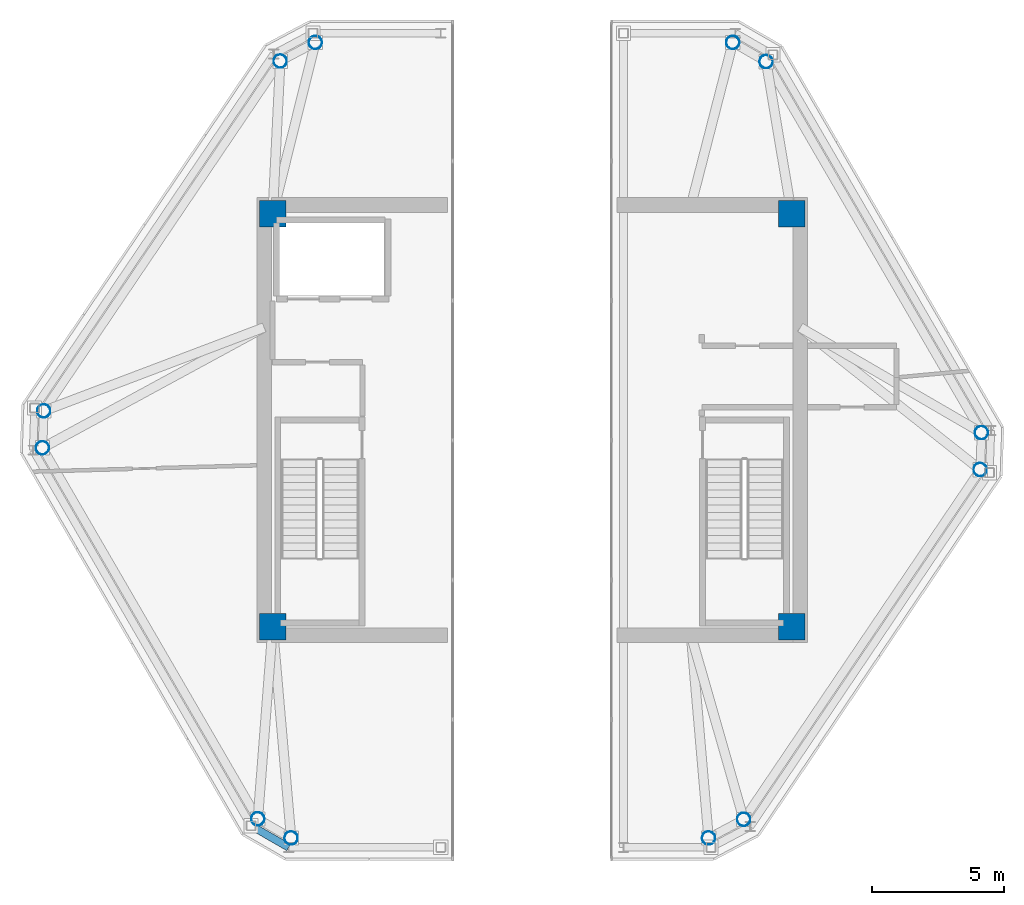
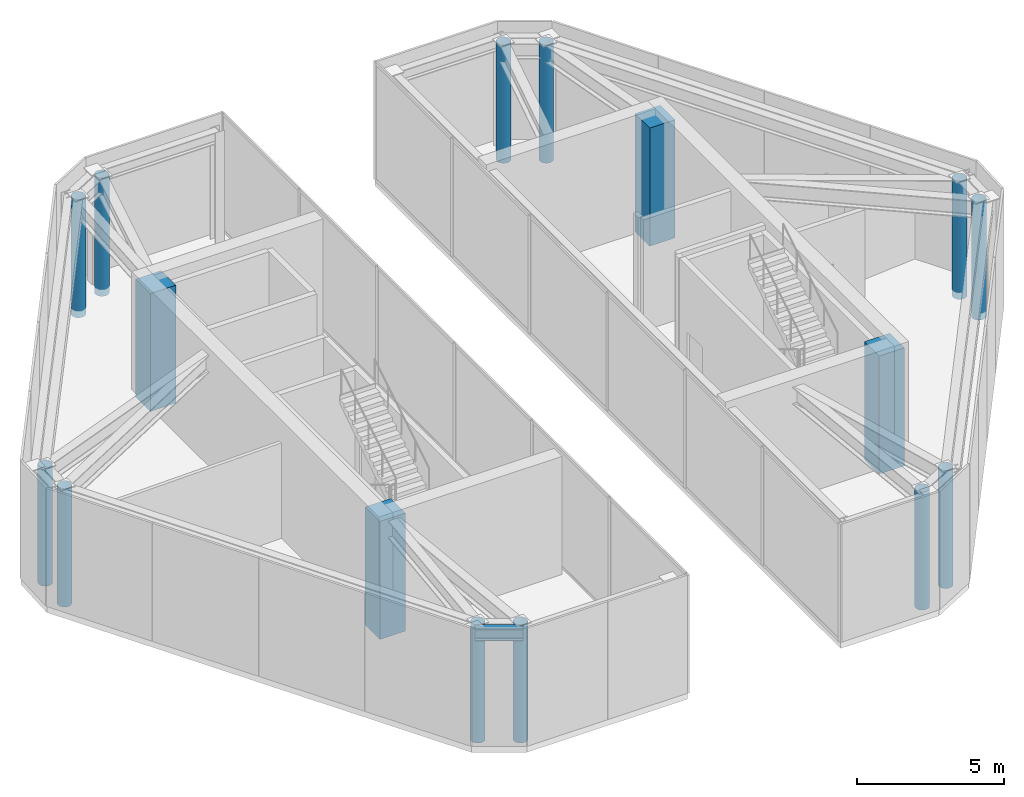
# One storey, part 1 of 8: 16 columns, 1 beam.
"""IFC4 building model written with IfcOpenShell, lengths in metres."""

from ifc_helpers import new_model, si_unit, direction, frame, origin, origin_2d, place, context, subcontext, project, spatial, rectangle, hollow_circle, i_section, extrude, source, transform, mapped, material, material_profile, profile_set, type_object, type_shapes, element, save


model = new_model("IFC4")

# Units and contexts
model_context = context("Model", 3, precision=1e-05, world=origin(), true_north=direction((0.0, 1.0)))
body_context = subcontext(model_context, "Body", "Model", "MODEL_VIEW")
ifc_project = project(units=[si_unit("LENGTHUNIT", "METRE"), si_unit("AREAUNIT", "SQUARE_METRE"), si_unit("VOLUMEUNIT", "CUBIC_METRE"), si_unit("PLANEANGLEUNIT", "RADIAN"), si_unit("MASSUNIT", "GRAM", prefix="KILO")], contexts=[model_context])

# Site, building, storey
site_placement = place(None, origin())
site = spatial("IfcSite", under=ifc_project, at=site_placement, CompositionType="ELEMENT")
building_placement = place(site_placement, origin())
building = spatial("IfcBuilding", under=site, at=building_placement, Name="Durnholm Broadcast Tower", CompositionType="ELEMENT")
storey_placement = place(building_placement, frame((0.0, 0.0, 282.10009765625)))
storey = spatial("IfcBuildingStorey", under=building, at=storey_placement, Name="L78", CompositionType="ELEMENT", Elevation=282.10009765625)

# Columns
ifc_material_1 = material(Name="Concrete C70/85", Category="concrete")
ifc_material_profile_1 = material_profile(ifc_material_1, rectangle(XDim=1.0, YDim=1.0, at=origin_2d()), Name="RC1000X1000")
ifc_profile_set_1 = profile_set([ifc_material_profile_1], Name="Concrete C70/85")
column_type_1 = type_object("IfcColumnType", Name="COL-CC-1000", PredefinedType="COLUMN", material=ifc_profile_set_1)
shared_shape_1 = source(origin(), body_context, "Body", "SweptSolid", [
    extrude(rectangle(XDim=1.0, YDim=1.0, at=origin_2d()), origin(), (0.0, 0.0, 1.0), 4.89990234375),
])
type_shapes(column_type_1, [shared_shape_1])
for number, where, z_axis, x_axis, name in (
    (1, (-9.800048828125, -7.800048828125, -0.280029296875), (0.0, 0.0, 1.0), (1.0, 0.0, 0.0), "L78 core corner column 1"),
    (2, (9.800048828125, -7.800048828125, -0.280029296875), (0.0, 0.0, 1.0), (1.0, 0.0, 0.0), "L78 core corner column 2"),
    (3, (9.800048828125, 7.800048828125, -0.280029296875), (0.0, 0.0, 1.0), (1.0, 0.0, 0.0), "L78 core corner column 3"),
    (4, (-9.800048828125, 7.800048828125, -0.280029296875), (0.0, 0.0, 1.0), (1.0, 0.0, 0.0), "L78 core corner column 4"),
):
    element("IfcColumn", number, at=place(storey_placement, frame(where, z_axis=z_axis, x_axis=x_axis)), inside=storey, type_object=column_type_1, Name=name, PredefinedType="COLUMN", context=body_context, shape_type="MappedRepresentation", body=[
        mapped(shared_shape_1, transform((0.0, 0.0, 0.0), x_axis=(1.0, 0.0, 0.0), y_axis=(0.0, 1.0, 0.0), z_axis=(0.0, 0.0, 1.0), scale=1.0)),
    ])
ifc_material_2 = material(Name="Steel ASTM A500 Grade C", Category="steel")
ifc_material_profile_2 = material_profile(ifc_material_2, hollow_circle(Radius=0.25390625, WallThickness=0.01171875, at=origin_2d()), Name="HSS20.000X0.500")
ifc_profile_set_2 = profile_set([ifc_material_profile_2], Name="Steel ASTM A500 Grade C")
column_type_2 = type_object("IfcColumnType", Name="STL-SC-CHS20", PredefinedType="COLUMN", material=ifc_profile_set_2)
shared_shape_2 = source(origin(), body_context, "Body", "SweptSolid", [
    extrude(hollow_circle(Radius=0.25390625, WallThickness=0.01171875, at=origin_2d()), origin(), (0.0, 0.0, 1.0), 4.89990234375),
])
type_shapes(column_type_2, [shared_shape_2])
for number, where, z_axis, x_axis, name in (
    (5, (-10.361328125, -15.061767578125, -0.280029296875), (0.0, 0.0, 1.0), (1.0, 0.0, 0.0), "L78 perimeter hexagonal tube column 01"),
    (6, (-18.494384765625, -1.0478515625, -0.280029296875), (0.0, 0.0, 1.0), (1.0, 0.0, 0.0), "L78 perimeter hexagonal tube column 02"),
    (7, (-18.4462890625, 0.345947265625, -0.280029296875), (0.0, 0.0, 1.0), (1.0, 0.0, 0.0), "L78 perimeter hexagonal tube column 03"),
    (8, (-9.514892578125, 13.557373046875, -0.280029296875), (0.0, 0.0, 1.0), (1.0, 0.0, 0.0), "L78 perimeter hexagonal tube column 04"),
    (9, (-8.187744140625, 14.261962890625, -0.280029296875), (0.0, 0.0, 1.0), (1.0, 0.0, 0.0), "L78 perimeter hexagonal tube column 05"),
    (10, (7.57958984375, 14.261962890625, -0.280029296875), (0.0, 0.0, 1.0), (1.0, 0.0, 0.0), "L78 perimeter hexagonal tube column 06"),
    (11, (8.83740234375, 13.53759765625, -0.280029296875), (0.0, 0.0, 1.0), (1.0, 0.0, 0.0), "L78 perimeter hexagonal tube column 07"),
    (12, (16.97021484375, -0.47607421875, -0.280029296875), (0.0, 0.0, 1.0), (1.0, 0.0, 0.0), "L78 perimeter hexagonal tube column 08"),
    (13, (16.92236328125, -1.869873046875, -0.280029296875), (0.0, 0.0, 1.0), (1.0, 0.0, 0.0), "L78 perimeter hexagonal tube column 09"),
    (14, (7.990966796875, -15.081298828125, -0.280029296875), (0.0, 0.0, 1.0), (1.0, 0.0, 0.0), "L78 perimeter hexagonal tube column 10"),
    (15, (6.663818359375, -15.785888671875, -0.280029296875), (0.0, 0.0, 1.0), (1.0, 0.0, 0.0), "L78 perimeter hexagonal tube column 11"),
    (16, (-9.103759765625, -15.785888671875, -0.280029296875), (0.0, 0.0, 1.0), (1.0, 0.0, 0.0), "L78 perimeter hexagonal tube column 12"),
):
    element("IfcColumn", number, at=place(storey_placement, frame(where, z_axis=z_axis, x_axis=x_axis)), inside=storey, type_object=column_type_2, Name=name, PredefinedType="COLUMN", context=body_context, shape_type="MappedRepresentation", body=[
        mapped(shared_shape_2, transform((0.0, 0.0, 0.0), x_axis=(1.0, 0.0, 0.0), y_axis=(0.0, 1.0, 0.0), z_axis=(0.0, 0.0, 1.0), scale=1.0)),
    ])

# Beam
ifc_material_3 = material(Name="Steel ASTM A992 Grade 50", Category="steel")
ifc_material_profile_3 = material_profile(ifc_material_3, i_section(OverallWidth=0.2861328125, OverallDepth=0.481689453125, WebThickness=0.0166015625, FlangeThickness=0.02685546875, FilletRadius=0.02294921875, at=origin_2d()), Name="W18X119")
ifc_profile_set_3 = profile_set([ifc_material_profile_3], Name="Steel ASTM A992 Grade 50")
beam_type = type_object("IfcBeamType", Name="STL-BM-W18X119", PredefinedType="BEAM", material=ifc_profile_set_3)
shared_shape_3 = source(origin(), body_context, "Body", "SweptSolid", [
    extrude(i_section(OverallWidth=0.2861328125, OverallDepth=0.481689453125, WebThickness=0.0166015625, FlangeThickness=0.02685546875, FilletRadius=0.02294921875, at=origin_2d()), origin(), (0.0, 0.0, 1.0), 1.638427734375),
])
type_shapes(beam_type, [shared_shape_3])
beam_placement = place(storey_placement, frame((-10.6171875, -15.318359375, 4.364013671875), z_axis=(0.866597073991, -0.499008528335, 0.0), x_axis=(0.499008528335, 0.866597073991, 0.0)))
element("IfcBeam", 17, at=beam_placement, inside=storey, type_object=beam_type, Name="L78 W split-crown frame ring beam 1", PredefinedType="SPANDREL", context=body_context, shape_type="MappedRepresentation", body=[
    mapped(shared_shape_3, transform((0.0, 0.0, 0.0), x_axis=(1.0, 0.0, 0.0), y_axis=(0.0, 1.0, 0.0), z_axis=(0.0, 0.0, 1.0), scale=1.0)),
])

save(model, "model.ifc")
